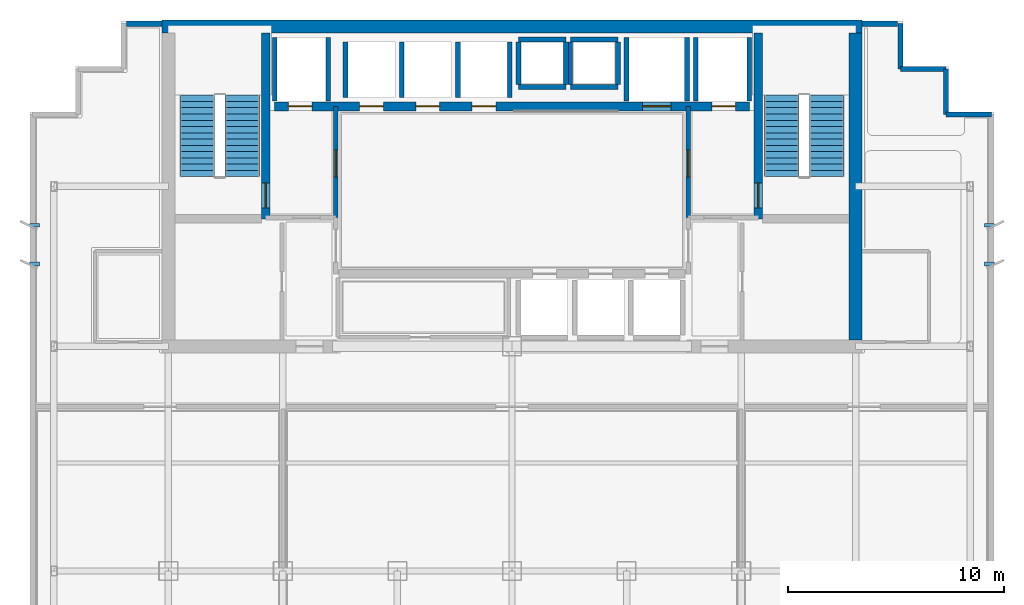
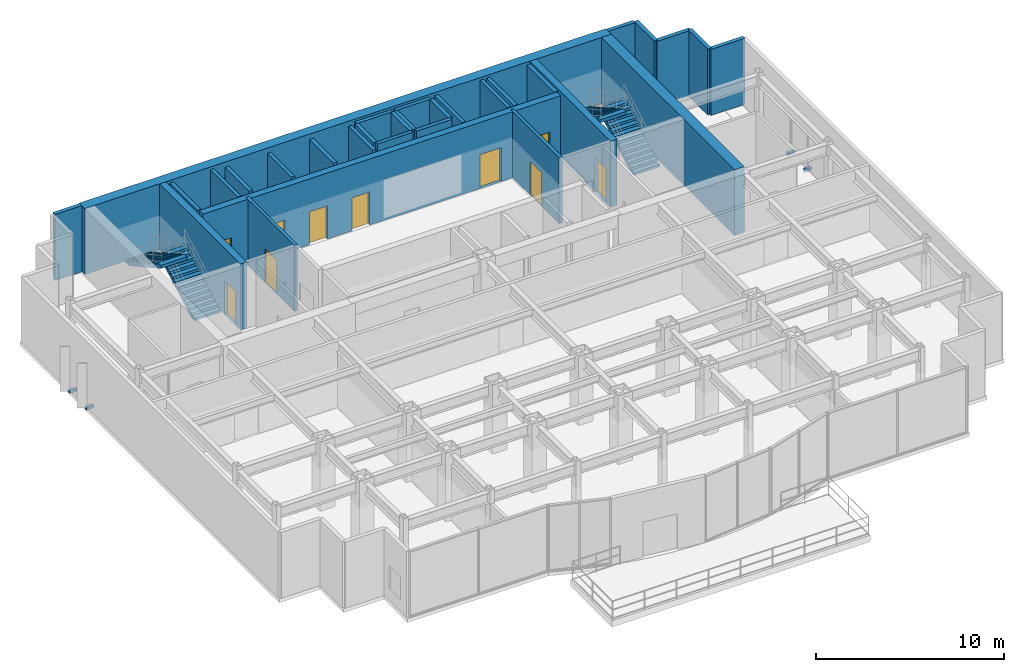
# One storey, part 7 of 9: 31 walls, 10 doors, 4 discrete accessories, 4 stair flights, 10 openings, 2 elements without a shape of their own.
"""IFC4 building model written with IfcOpenShell, lengths in metres."""

from ifc_helpers import new_model, si_unit, direction, frame, frame_2d, origin, origin_2d, place, context, subcontext, project, spatial, polyline, rectangle, outline, extrude, source, transform, mapped, material, layer, layer_set, type_object, element, fill, aggregate, save


model = new_model("IFC4")

# Units and contexts
model_context = context("Model", 3, precision=1e-05, world=origin(), true_north=direction((0.0, 1.0)))
body_context = subcontext(model_context, "Body", "Model", "MODEL_VIEW")
ifc_project = project(units=[si_unit("LENGTHUNIT", "METRE"), si_unit("AREAUNIT", "SQUARE_METRE"), si_unit("VOLUMEUNIT", "CUBIC_METRE"), si_unit("PLANEANGLEUNIT", "RADIAN"), si_unit("MASSUNIT", "GRAM", prefix="KILO")], contexts=[model_context])

# Site, building, storey
site_placement = place(None, origin())
site = spatial("IfcSite", under=ifc_project, at=site_placement, CompositionType="ELEMENT")
building_placement = place(site_placement, origin())
building = spatial("IfcBuilding", under=site, at=building_placement, Name="Qianlan Lanfeng Residences", CompositionType="ELEMENT")
storey_placement = place(building_placement, frame((0.0, 0.0, 134.699951171875)))
storey = spatial("IfcBuildingStorey", under=building, at=storey_placement, Name="L36", CompositionType="ELEMENT", Elevation=134.699951171875)

# Wall, opening, door
ifc_material_1 = material(Name="Concrete C56", Category="concrete")
ifc_layer_1 = layer(ifc_material_1, 0.39990234375)
ifc_layer_set_1 = layer_set([ifc_layer_1], Name="Concrete C56")
wall_type_1 = type_object("IfcWallType", Name="CW-RC-400", PredefinedType="SHEAR", material=ifc_layer_set_1)
wall_1_placement = place(storey_placement, frame((15.10009765625, 31.10009765625, 0.0), z_axis=(0.0, 0.0, 1.0), x_axis=(0.0, 1.0, 0.0)))
wall_1 = element("IfcWall", 1, at=wall_1_placement, inside=storey, type_object=wall_type_1, Name="L36 Core Shear Wall ST1E", PredefinedType="SHEAR", context=body_context, shape_type="SweptSolid", body=[
    extrude(rectangle(XDim=8.599853515625, YDim=0.39990234375, at=frame_2d((4.2998046875, 0.0))), origin(), (0.0, 0.0, 1.0), 4.300048828125),
])
opening_1_placement = place(wall_1_placement, frame((0.510009765625, 0.0, 0.0)))
opening_1 = element("IfcOpeningElement", 2, at=opening_1_placement, cuts=wall_1, Name="Opening L36-D07", PredefinedType="OPENING", context=body_context, shape_type="SweptSolid", body=[
    extrude(rectangle(XDim=1.14990234375, YDim=2.199951171875, at=frame_2d((0.574951171875, 1.10009765625))), frame((0.0, 0.2099609375, 0.0), z_axis=(0.0, -1.0, 0.0), x_axis=(1.0, 0.0, 0.0)), (0.0, 0.0, 1.0), 0.419921875),
])
ifc_material_2 = material(Name="Painted Galvanised Steel Fire Door", Category="steel")
door_type_1 = type_object("IfcDoorType", Name="DT-ST1", OperationType="NOTDEFINED", PredefinedType="DOOR", material=ifc_material_2)
door_1_placement = place(opening_1_placement, frame((1.14990234375, 0.0, 0.0), z_axis=(0.0, 0.0, 1.0), x_axis=(-1.0, 0.0, 0.0)))
door_1 = element("IfcDoor", 3, at=door_1_placement, inside=storey, type_object=door_type_1, Name="L36 Exit Stair ST-1 Door L36-D07 (DT-ST1)", OperationType="SINGLE_SWING_RIGHT", OverallHeight=2.199951171875, OverallWidth=1.14990234375, PredefinedType="DOOR", context=body_context, shape_type="SweptSolid", body=[
    extrude(rectangle(XDim=1.14990234375, YDim=2.199951171875, at=frame_2d((0.574951171875, 1.10009765625))), frame((0.0, 0.02490234375, 0.0), z_axis=(0.0, -1.0, 0.0), x_axis=(1.0, 0.0, 0.0)), (0.0, 0.0, 1.0), 0.050048828125),
])
fill(opening_1, door_1)

wall_2_placement = place(storey_placement, frame((37.89990234375, 31.10009765625, 0.0), z_axis=(0.0, 0.0, 1.0), x_axis=(0.0, 1.0, 0.0)))
wall_2 = element("IfcWall", 4, at=wall_2_placement, inside=storey, type_object=wall_type_1, Name="L36 Core Shear Wall ST2W", PredefinedType="SHEAR", context=body_context, shape_type="SweptSolid", body=[
    extrude(rectangle(XDim=8.599853515625, YDim=0.39990234375, at=frame_2d((4.2998046875, 0.0))), origin(), (0.0, 0.0, 1.0), 4.300048828125),
])
opening_2_placement = place(wall_2_placement, frame((0.510009765625, 0.0, 0.0)))
opening_2 = element("IfcOpeningElement", 5, at=opening_2_placement, cuts=wall_2, Name="Opening L36-D08", PredefinedType="OPENING", context=body_context, shape_type="SweptSolid", body=[
    extrude(rectangle(XDim=1.14990234375, YDim=2.199951171875, at=frame_2d((0.574951171875, 1.10009765625))), frame((0.0, 0.2099609375, 0.0), z_axis=(0.0, -1.0, 0.0), x_axis=(1.0, 0.0, 0.0)), (0.0, 0.0, 1.0), 0.419921875),
])
door_2_placement = place(opening_2_placement, origin())
door_2 = element("IfcDoor", 6, at=door_2_placement, inside=storey, type_object=door_type_1, Name="L36 Exit Stair ST-2 Door L36-D08 (DT-ST1)", OperationType="SINGLE_SWING_RIGHT", OverallHeight=2.199951171875, OverallWidth=1.14990234375, PredefinedType="DOOR", context=body_context, shape_type="SweptSolid", body=[
    extrude(rectangle(XDim=1.14990234375, YDim=2.199951171875, at=frame_2d((0.574951171875, 1.10009765625))), frame((0.0, 0.02490234375, 0.0), z_axis=(0.0, -1.0, 0.0), x_axis=(1.0, 0.0, 0.0)), (0.0, 0.0, 1.0), 0.050048828125),
])
fill(opening_2, door_2)

# Wall, openings, doors
wall_3_placement = place(storey_placement, frame((15.5, 36.300048828125, 0.0), z_axis=(0.0, 0.0, 1.0), x_axis=(1.0, 0.0, 0.0)))
wall_3 = element("IfcWall", 7, at=wall_3_placement, inside=storey, type_object=wall_type_1, Name="L36 Core Shear Wall LBN", PredefinedType="SHEAR", context=body_context, shape_type="SweptSolid", body=[
    extrude(rectangle(XDim=22.0, YDim=0.39990234375, at=frame_2d((11.0, 0.0))), origin(), (0.0, 0.0, 1.0), 4.300048828125),
])
opening_3_placement = place(wall_3_placement, frame((0.64990234375, 0.0, 0.0)))
opening_3 = element("IfcOpeningElement", 8, at=opening_3_placement, cuts=wall_3, Name="Opening L36-LD-FFL-1", PredefinedType="OPENING", context=body_context, shape_type="SweptSolid", body=[
    extrude(rectangle(XDim=1.10009765625, YDim=2.14990234375, at=frame_2d((0.550048828125, 1.074951171875))), frame((0.0, 0.2099609375, 0.0), z_axis=(0.0, -1.0, 0.0), x_axis=(1.0, 0.0, 0.0)), (0.0, 0.0, 1.0), 0.419921875),
])
opening_4_placement = place(wall_3_placement, frame((20.25, 0.0, 0.0)))
opening_4 = element("IfcOpeningElement", 9, at=opening_4_placement, cuts=wall_3, Name="Opening L36-LD-FFL-2", PredefinedType="OPENING", context=body_context, shape_type="SweptSolid", body=[
    extrude(rectangle(XDim=1.10009765625, YDim=2.14990234375, at=frame_2d((0.550048828125, 1.074951171875))), frame((0.0, 0.2099609375, 0.0), z_axis=(0.0, -1.0, 0.0), x_axis=(1.0, 0.0, 0.0)), (0.0, 0.0, 1.0), 0.419921875),
])
opening_5_placement = place(wall_3_placement, frame((17.050048828125, 0.0, 0.0)))
opening_5 = element("IfcOpeningElement", 10, at=opening_5_placement, cuts=wall_3, Name="Opening L36-LD-SVL-1", PredefinedType="OPENING", context=body_context, shape_type="SweptSolid", body=[
    extrude(rectangle(XDim=1.300048828125, YDim=2.199951171875, at=frame_2d((0.64990234375, 1.10009765625))), frame((0.0, 0.2099609375, 0.0), z_axis=(0.0, -1.0, 0.0), x_axis=(1.0, 0.0, 0.0)), (0.0, 0.0, 1.0), 0.419921875),
])
opening_6_placement = place(wall_3_placement, frame((3.949951171875, 0.0, 0.0)))
opening_6 = element("IfcOpeningElement", 11, at=opening_6_placement, cuts=wall_3, Name="Opening L36-LD-PL-H1", PredefinedType="OPENING", context=body_context, shape_type="SweptSolid", body=[
    extrude(rectangle(XDim=1.10009765625, YDim=2.14990234375, at=frame_2d((0.550048828125, 1.074951171875))), frame((0.0, 0.2099609375, 0.0), z_axis=(0.0, -1.0, 0.0), x_axis=(1.0, 0.0, 0.0)), (0.0, 0.0, 1.0), 0.419921875),
])
opening_7_placement = place(wall_3_placement, frame((6.550048828125, 0.0, 0.0)))
opening_7 = element("IfcOpeningElement", 12, at=opening_7_placement, cuts=wall_3, Name="Opening L36-LD-PL-H2", PredefinedType="OPENING", context=body_context, shape_type="SweptSolid", body=[
    extrude(rectangle(XDim=1.10009765625, YDim=2.14990234375, at=frame_2d((0.550048828125, 1.074951171875))), frame((0.0, 0.2099609375, 0.0), z_axis=(0.0, -1.0, 0.0), x_axis=(1.0, 0.0, 0.0)), (0.0, 0.0, 1.0), 0.419921875),
])
opening_8_placement = place(wall_3_placement, frame((9.14990234375, 0.0, 0.0)))
opening_8 = element("IfcOpeningElement", 13, at=opening_8_placement, cuts=wall_3, Name="Opening L36-LD-PL-H3", PredefinedType="OPENING", context=body_context, shape_type="SweptSolid", body=[
    extrude(rectangle(XDim=1.10009765625, YDim=2.14990234375, at=frame_2d((0.550048828125, 1.074951171875))), frame((0.0, 0.2099609375, 0.0), z_axis=(0.0, -1.0, 0.0), x_axis=(1.0, 0.0, 0.0)), (0.0, 0.0, 1.0), 0.419921875),
])
ifc_material_3 = material(Name="Brushed Stainless Steel Sliding Lift Door", Category="steel")
door_type_2 = type_object("IfcDoorType", Name="LD-01", OperationType="NOTDEFINED", PredefinedType="DOOR", material=ifc_material_3)
door_3_placement = place(opening_3_placement, frame((1.10009765625, 0.0, 0.0), z_axis=(0.0, 0.0, 1.0), x_axis=(-1.0, 0.0, 0.0)))
door_3 = element("IfcDoor", 14, at=door_3_placement, inside=storey, type_object=door_type_2, Name="L36 Elevator FFL-1 Sliding Landing Door", OperationType="DOUBLE_DOOR_SLIDING", OverallHeight=2.14990234375, OverallWidth=1.10009765625, PredefinedType="DOOR", context=body_context, shape_type="SweptSolid", body=[
    extrude(rectangle(XDim=1.10009765625, YDim=2.14990234375, at=frame_2d((0.550048828125, 1.074951171875))), frame((0.0, 0.02490234375, 0.0), z_axis=(0.0, -1.0, 0.0), x_axis=(1.0, 0.0, 0.0)), (0.0, 0.0, 1.0), 0.050048828125),
])
fill(opening_3, door_3)
door_4_placement = place(opening_4_placement, frame((1.10009765625, 0.0, 0.0), z_axis=(0.0, 0.0, 1.0), x_axis=(-1.0, 0.0, 0.0)))
door_4 = element("IfcDoor", 15, at=door_4_placement, inside=storey, type_object=door_type_2, Name="L36 Elevator FFL-2 Sliding Landing Door", OperationType="DOUBLE_DOOR_SLIDING", OverallHeight=2.14990234375, OverallWidth=1.10009765625, PredefinedType="DOOR", context=body_context, shape_type="SweptSolid", body=[
    extrude(rectangle(XDim=1.10009765625, YDim=2.14990234375, at=frame_2d((0.550048828125, 1.074951171875))), frame((0.0, 0.02490234375, 0.0), z_axis=(0.0, -1.0, 0.0), x_axis=(1.0, 0.0, 0.0)), (0.0, 0.0, 1.0), 0.050048828125),
])
fill(opening_4, door_4)
door_5_placement = place(opening_6_placement, frame((1.10009765625, 0.0, 0.0), z_axis=(0.0, 0.0, 1.0), x_axis=(-1.0, 0.0, 0.0)))
door_5 = element("IfcDoor", 16, at=door_5_placement, inside=storey, type_object=door_type_2, Name="L36 Elevator PL-H1 Sliding Landing Door", OperationType="DOUBLE_DOOR_SLIDING", OverallHeight=2.14990234375, OverallWidth=1.10009765625, PredefinedType="DOOR", context=body_context, shape_type="SweptSolid", body=[
    extrude(rectangle(XDim=1.10009765625, YDim=2.14990234375, at=frame_2d((0.550048828125, 1.074951171875))), frame((0.0, 0.02490234375, 0.0), z_axis=(0.0, -1.0, 0.0), x_axis=(1.0, 0.0, 0.0)), (0.0, 0.0, 1.0), 0.050048828125),
])
fill(opening_6, door_5)
door_6_placement = place(opening_7_placement, frame((1.10009765625, 0.0, 0.0), z_axis=(0.0, 0.0, 1.0), x_axis=(-1.0, 0.0, 0.0)))
door_6 = element("IfcDoor", 17, at=door_6_placement, inside=storey, type_object=door_type_2, Name="L36 Elevator PL-H2 Sliding Landing Door", OperationType="DOUBLE_DOOR_SLIDING", OverallHeight=2.14990234375, OverallWidth=1.10009765625, PredefinedType="DOOR", context=body_context, shape_type="SweptSolid", body=[
    extrude(rectangle(XDim=1.10009765625, YDim=2.14990234375, at=frame_2d((0.550048828125, 1.074951171875))), frame((0.0, 0.02490234375, 0.0), z_axis=(0.0, -1.0, 0.0), x_axis=(1.0, 0.0, 0.0)), (0.0, 0.0, 1.0), 0.050048828125),
])
fill(opening_7, door_6)
door_7_placement = place(opening_8_placement, frame((1.10009765625, 0.0, 0.0), z_axis=(0.0, 0.0, 1.0), x_axis=(-1.0, 0.0, 0.0)))
door_7 = element("IfcDoor", 18, at=door_7_placement, inside=storey, type_object=door_type_2, Name="L36 Elevator PL-H3 Sliding Landing Door", OperationType="DOUBLE_DOOR_SLIDING", OverallHeight=2.14990234375, OverallWidth=1.10009765625, PredefinedType="DOOR", context=body_context, shape_type="SweptSolid", body=[
    extrude(rectangle(XDim=1.10009765625, YDim=2.14990234375, at=frame_2d((0.550048828125, 1.074951171875))), frame((0.0, 0.02490234375, 0.0), z_axis=(0.0, -1.0, 0.0), x_axis=(1.0, 0.0, 0.0)), (0.0, 0.0, 1.0), 0.050048828125),
])
fill(opening_8, door_7)
door_type_3 = type_object("IfcDoorType", Name="LD-02", OperationType="NOTDEFINED", PredefinedType="DOOR", material=ifc_material_3)
door_8_placement = place(opening_5_placement, frame((1.300048828125, 0.0, 0.0), z_axis=(0.0, 0.0, 1.0), x_axis=(-1.0, 0.0, 0.0)))
door_8 = element("IfcDoor", 19, at=door_8_placement, inside=storey, type_object=door_type_3, Name="L36 Elevator SVL-1 Sliding Landing Door", OperationType="DOUBLE_DOOR_SLIDING", OverallHeight=2.199951171875, OverallWidth=1.300048828125, PredefinedType="DOOR", context=body_context, shape_type="SweptSolid", body=[
    extrude(rectangle(XDim=1.300048828125, YDim=2.199951171875, at=frame_2d((0.64990234375, 1.10009765625))), frame((0.0, 0.02490234375, 0.0), z_axis=(0.0, -1.0, 0.0), x_axis=(1.0, 0.0, 0.0)), (0.0, 0.0, 1.0), 0.050048828125),
])
fill(opening_5, door_8)

# Walls
ifc_layer_2 = layer(ifc_material_1, 0.60009765625)
ifc_layer_set_2 = layer_set([ifc_layer_2], Name="Concrete C56")
wall_type_2 = type_object("IfcWallType", Name="CW-RC-600", PredefinedType="SHEAR", material=ifc_layer_set_2)
wall_4_placement = place(storey_placement, frame((10.300048828125, 40.0, 0.0), z_axis=(0.0, 0.0, 1.0), x_axis=(1.0, 0.0, 0.0)))
element("IfcWall", 20, at=wall_4_placement, inside=storey, type_object=wall_type_2, Name="L36 Core Shear Wall N", PredefinedType="SHEAR", context=body_context, shape_type="SweptSolid", body=[
    extrude(rectangle(XDim=32.39990234375, YDim=0.60009765625, at=frame_2d((16.199951171875, 0.0))), origin(), (0.0, 0.0, 1.0), 4.300048828125),
])
wall_5_placement = place(storey_placement, frame((42.39990234375, 25.5, 0.0), z_axis=(0.0, 0.0, 1.0), x_axis=(0.0, 1.0, 0.0)))
element("IfcWall", 21, at=wall_5_placement, inside=storey, type_object=wall_type_2, Name="L36 Core Shear Wall E", PredefinedType="SHEAR", context=body_context, shape_type="SweptSolid", body=[
    extrude(rectangle(XDim=14.199951171875, YDim=0.60009765625, at=frame_2d((7.10009765625, 0.0))), origin(), (0.0, 0.0, 1.0), 4.300048828125),
])
ifc_material_4 = material(Name="Concrete C42", Category="concrete")
ifc_layer_3 = layer(ifc_material_4, 0.239990234375)
ifc_layer_set_3 = layer_set([ifc_layer_3], Name="Concrete C42")
wall_type_3 = type_object("IfcWallType", Name="EW-240", PredefinedType="SOLIDWALL", material=ifc_layer_set_3)
wall_6_placement = place(storey_placement, frame((48.679931640625, 35.929931640625, 0.0), z_axis=(0.0, 0.0, 1.0), x_axis=(-1.0, 0.0, 0.0)))
element("IfcWall", 22, at=wall_6_placement, inside=storey, type_object=wall_type_3, Name="L36 Exterior Facade Spandrel Wall 11", PredefinedType="SOLIDWALL", context=body_context, shape_type="SweptSolid", body=[
    extrude(rectangle(XDim=2.099853515625, YDim=0.239990234375, at=frame_2d((1.0498046875, 0.0))), origin(), (0.0, 0.0, 1.0), 4.300048828125),
])
for number, where, z_axis, x_axis, name in (
    (23, (46.580078125, 35.929931640625, 0.0), (0.0, 0.0, 1.0), (0.0, 1.0, 0.0), "L36 Exterior Facade Spandrel Wall 12"),
    (24, (46.580078125, 38.030029296875, 0.0), (0.0, 0.0, 1.0), (-1.0, 0.0, 0.0), "L36 Exterior Facade Spandrel Wall 13"),
):
    element("IfcWall", number, at=place(storey_placement, frame(where, z_axis=z_axis, x_axis=x_axis)), inside=storey, type_object=wall_type_3, Name=name, PredefinedType="SOLIDWALL", context=body_context, shape_type="SweptSolid", body=[
        extrude(rectangle(XDim=2.10009765625, YDim=0.239990234375, at=frame_2d((1.050048828125, 0.0))), origin(), (0.0, 0.0, 1.0), 4.300048828125),
    ])
wall_7_placement = place(storey_placement, frame((44.47998046875, 38.030029296875, 0.0), z_axis=(0.0, 0.0, 1.0), x_axis=(0.0, 1.0, 0.0)))
element("IfcWall", 25, at=wall_7_placement, inside=storey, type_object=wall_type_3, Name="L36 Exterior Facade Spandrel Wall 14", PredefinedType="SOLIDWALL", context=body_context, shape_type="SweptSolid", body=[
    extrude(rectangle(XDim=2.099853515625, YDim=0.239990234375, at=frame_2d((1.0498046875, 0.0))), origin(), (0.0, 0.0, 1.0), 4.300048828125),
])
for number, where, z_axis, x_axis, name in (
    (26, (44.35009765625, 40.1298828125, 0.0), (0.0, 0.0, 1.0), (-1.0, 0.0, 0.0), "L36 North Wing Exterior Wall E"),
    (27, (10.300048828125, 40.1298828125, 0.0), (0.0, 0.0, 1.0), (-1.0, 0.0, 0.0), "L36 North Wing Exterior Wall W"),
):
    element("IfcWall", number, at=place(storey_placement, frame(where, z_axis=z_axis, x_axis=x_axis)), inside=storey, type_object=wall_type_3, Name=name, PredefinedType="SOLIDWALL", context=body_context, shape_type="SweptSolid", body=[
        extrude(rectangle(XDim=1.650146484375, YDim=0.239990234375, at=frame_2d((0.8251953125, 0.0))), origin(), (0.0, 0.0, 1.0), 4.300048828125),
    ])

# Wall, opening, door
ifc_material_5 = material(Name="Autoclaved Aerated Concrete Blockwork 200 mm", Category="masonry")
ifc_layer_4 = layer(ifc_material_5, 0.199951171875)
ifc_layer_set_4 = layer_set([ifc_layer_4], Name="Autoclaved Aerated Concrete Blockwork 200 mm")
wall_type_4 = type_object("IfcWallType", Name="PW-200", PredefinedType="PARTITIONING", material=ifc_layer_set_4)
wall_8_placement = place(storey_placement, frame((18.35009765625, 31.14990234375, 0.0), z_axis=(0.0, 0.0, 1.0), x_axis=(0.0, 1.0, 0.0)))
wall_8 = element("IfcWall", 28, at=wall_8_placement, inside=storey, type_object=wall_type_4, Name="L36 Firefighting Lobby 1 East Wall", PredefinedType="PARTITIONING", context=body_context, shape_type="SweptSolid", body=[
    extrude(rectangle(XDim=5.150146484375, YDim=0.199951171875, at=frame_2d((2.5751953125, 0.0))), origin(), (0.0, 0.0, 1.0), 4.300048828125),
])
opening_9_placement = place(wall_8_placement, frame((1.875, 0.0, 0.0)))
opening_9 = element("IfcOpeningElement", 29, at=opening_9_placement, cuts=wall_8, Name="Opening L36-D04", PredefinedType="OPENING", context=body_context, shape_type="SweptSolid", body=[
    extrude(rectangle(XDim=1.25, YDim=2.199951171875, at=frame_2d((0.625, 1.10009765625))), frame((0.0, 0.10986328125, 0.0), z_axis=(0.0, -1.0, 0.0), x_axis=(1.0, 0.0, 0.0)), (0.0, 0.0, 1.0), 0.219970703125),
])
door_type_4 = type_object("IfcDoorType", Name="DT-FFL", OperationType="NOTDEFINED", PredefinedType="DOOR", material=ifc_material_2)
door_9_placement = place(opening_9_placement, origin())
door_9 = element("IfcDoor", 30, at=door_9_placement, inside=storey, type_object=door_type_4, Name="L36 Firefighting Lobby 1 Lift Lobby Door L36-D04 (DT-FFL)", OperationType="SINGLE_SWING_LEFT", OverallHeight=2.199951171875, OverallWidth=1.25, PredefinedType="DOOR", context=body_context, shape_type="SweptSolid", body=[
    extrude(rectangle(XDim=1.25, YDim=2.199951171875, at=frame_2d((0.625, 1.10009765625))), frame((0.0, 0.02490234375, 0.0), z_axis=(0.0, -1.0, 0.0), x_axis=(1.0, 0.0, 0.0)), (0.0, 0.0, 1.0), 0.050048828125),
])
fill(opening_9, door_9)

wall_9_placement = place(storey_placement, frame((34.64990234375, 31.14990234375, 0.0), z_axis=(0.0, 0.0, 1.0), x_axis=(0.0, 1.0, 0.0)))
wall_9 = element("IfcWall", 31, at=wall_9_placement, inside=storey, type_object=wall_type_4, Name="L36 Firefighting Lobby 2 West Wall", PredefinedType="PARTITIONING", context=body_context, shape_type="SweptSolid", body=[
    extrude(rectangle(XDim=5.150146484375, YDim=0.199951171875, at=frame_2d((2.5751953125, 0.0))), origin(), (0.0, 0.0, 1.0), 4.300048828125),
])
opening_10_placement = place(wall_9_placement, frame((1.875, 0.0, 0.0)))
opening_10 = element("IfcOpeningElement", 32, at=opening_10_placement, cuts=wall_9, Name="Opening L36-D06", PredefinedType="OPENING", context=body_context, shape_type="SweptSolid", body=[
    extrude(rectangle(XDim=1.25, YDim=2.199951171875, at=frame_2d((0.625, 1.10009765625))), frame((0.0, 0.10986328125, 0.0), z_axis=(0.0, -1.0, 0.0), x_axis=(1.0, 0.0, 0.0)), (0.0, 0.0, 1.0), 0.219970703125),
])
door_10_placement = place(opening_10_placement, origin())
door_10 = element("IfcDoor", 33, at=door_10_placement, inside=storey, type_object=door_type_4, Name="L36 Firefighting Lobby 2 Lift Lobby Door L36-D06 (DT-FFL)", OperationType="SINGLE_SWING_LEFT", OverallHeight=2.199951171875, OverallWidth=1.25, PredefinedType="DOOR", context=body_context, shape_type="SweptSolid", body=[
    extrude(rectangle(XDim=1.25, YDim=2.199951171875, at=frame_2d((0.625, 1.10009765625))), frame((0.0, 0.02490234375, 0.0), z_axis=(0.0, -1.0, 0.0), x_axis=(1.0, 0.0, 0.0)), (0.0, 0.0, 1.0), 0.050048828125),
])
fill(opening_10, door_10)

# Walls
ifc_material_6 = material(Name="Concrete C49", Category="concrete")
ifc_layer_5 = layer(ifc_material_6, 0.219970703125)
ifc_layer_set_5 = layer_set([ifc_layer_5], Name="Concrete C49")
wall_type_5 = type_object("IfcWallType", Name="SHW-220", PredefinedType="SOLIDWALL", material=ifc_layer_set_5)
for number, where, z_axis, x_axis, name in (
    (34, (15.52001953125, 36.550048828125, 0.0), (0.0, 0.0, 1.0), (0.0, 1.0, 0.0), "L36 Lift FFL-1 Shaft Wall W"),
    (35, (18.0, 36.550048828125, 0.0), (0.0, 0.0, 1.0), (0.0, 1.0, 0.0), "L36 Lift FFL-1 Shaft Wall E"),
    (36, (35.0, 36.550048828125, 0.0), (0.0, 0.0, 1.0), (0.0, 1.0, 0.0), "L36 Lift FFL-2 Shaft Wall W"),
    (37, (37.47998046875, 36.550048828125, 0.0), (0.0, 0.0, 1.0), (0.0, 1.0, 0.0), "L36 Lift FFL-2 Shaft Wall E"),
    (38, (31.800048828125, 36.550048828125, 0.0), (0.0, 0.0, 1.0), (0.0, 1.0, 0.0), "L36 Lift SVL-1 Shaft Wall W"),
    (39, (34.60009765625, 36.550048828125, 0.0), (0.0, 0.0, 1.0), (0.0, 1.0, 0.0), "L36 Lift SVL-1 Shaft Wall E"),
):
    element("IfcWall", number, at=place(storey_placement, frame(where, z_axis=z_axis, x_axis=x_axis)), inside=storey, type_object=wall_type_5, Name=name, PredefinedType="SOLIDWALL", context=body_context, shape_type="SweptSolid", body=[
        extrude(rectangle(XDim=2.929931640625, YDim=0.219970703125, at=frame_2d((1.46484375, 0.0))), origin(), (0.0, 0.0, 1.0), 4.300048828125),
    ])
for number, where, z_axis, x_axis, name in (
    (40, (18.800048828125, 36.719970703125, 0.0), (0.0, 0.0, 1.0), (0.0, 1.0, 0.0), "L36 Lift PL-H1 Shaft Wall W"),
    (41, (21.39990234375, 36.719970703125, 0.0), (0.0, 0.0, 1.0), (0.0, 1.0, 0.0), "L36 Lift PL-H2 Shaft Wall W"),
    (42, (24.0, 36.719970703125, 0.0), (0.0, 0.0, 1.0), (0.0, 1.0, 0.0), "L36 Lift PL-H3 Shaft Wall W"),
    (43, (26.39990234375, 36.719970703125, 0.0), (0.0, 0.0, 1.0), (0.0, 1.0, 0.0), "L36 Lift PL-H3 Shaft Wall E"),
):
    element("IfcWall", number, at=place(storey_placement, frame(where, z_axis=z_axis, x_axis=x_axis)), inside=storey, type_object=wall_type_5, Name=name, PredefinedType="SOLIDWALL", context=body_context, shape_type="SweptSolid", body=[
        extrude(rectangle(XDim=2.56005859375, YDim=0.219970703125, at=frame_2d((1.280029296875, 0.0))), origin(), (0.0, 0.0, 1.0), 4.300048828125),
    ])
for number, where, z_axis, x_axis, name in (
    (44, (26.800048828125, 37.31005859375, 0.0), (0.0, 0.0, 1.0), (0.0, 1.0, 0.0), "L36 MEP Riser MEP-R1 Shaft Wall W"),
    (45, (29.0, 37.31005859375, 0.0), (0.0, 0.0, 1.0), (0.0, 1.0, 0.0), "L36 MEP Riser MEP-R1 Shaft Wall E"),
):
    element("IfcWall", number, at=place(storey_placement, frame(where, z_axis=z_axis, x_axis=x_axis)), inside=storey, type_object=wall_type_5, Name=name, PredefinedType="SOLIDWALL", context=body_context, shape_type="SweptSolid", body=[
        extrude(rectangle(XDim=1.97998046875, YDim=0.219970703125, at=frame_2d((0.989990234375, 0.0))), origin(), (0.0, 0.0, 1.0), 4.300048828125),
    ])
for number, where, z_axis, x_axis, name in (
    (46, (26.800048828125, 39.39990234375, 0.0), (0.0, 0.0, 1.0), (1.0, 0.0, 0.0), "L36 MEP Riser MEP-R1 Shaft Wall N"),
    (47, (26.800048828125, 37.199951171875, 0.0), (0.0, 0.0, 1.0), (1.0, 0.0, 0.0), "L36 MEP Riser MEP-R1 Shaft Wall S"),
):
    element("IfcWall", number, at=place(storey_placement, frame(where, z_axis=z_axis, x_axis=x_axis)), inside=storey, type_object=wall_type_5, Name=name, PredefinedType="SOLIDWALL", context=body_context, shape_type="SweptSolid", body=[
        extrude(rectangle(XDim=2.199951171875, YDim=0.219970703125, at=frame_2d((1.10009765625, 0.0))), origin(), (0.0, 0.0, 1.0), 4.300048828125),
    ])
for number, where, z_axis, x_axis, name in (
    (48, (29.199951171875, 37.31005859375, 0.0), (0.0, 0.0, 1.0), (0.0, 1.0, 0.0), "L36 MEP Riser MEP-R2 Shaft Wall W"),
    (49, (31.39990234375, 37.31005859375, 0.0), (0.0, 0.0, 1.0), (0.0, 1.0, 0.0), "L36 MEP Riser MEP-R2 Shaft Wall E"),
):
    element("IfcWall", number, at=place(storey_placement, frame(where, z_axis=z_axis, x_axis=x_axis)), inside=storey, type_object=wall_type_5, Name=name, PredefinedType="SOLIDWALL", context=body_context, shape_type="SweptSolid", body=[
        extrude(rectangle(XDim=1.97998046875, YDim=0.219970703125, at=frame_2d((0.989990234375, 0.0))), origin(), (0.0, 0.0, 1.0), 4.300048828125),
    ])
for number, where, z_axis, x_axis, name in (
    (50, (29.199951171875, 39.39990234375, 0.0), (0.0, 0.0, 1.0), (1.0, 0.0, 0.0), "L36 MEP Riser MEP-R2 Shaft Wall N"),
    (51, (29.199951171875, 37.199951171875, 0.0), (0.0, 0.0, 1.0), (1.0, 0.0, 0.0), "L36 MEP Riser MEP-R2 Shaft Wall S"),
):
    element("IfcWall", number, at=place(storey_placement, frame(where, z_axis=z_axis, x_axis=x_axis)), inside=storey, type_object=wall_type_5, Name=name, PredefinedType="SOLIDWALL", context=body_context, shape_type="SweptSolid", body=[
        extrude(rectangle(XDim=2.199951171875, YDim=0.219970703125, at=frame_2d((1.10009765625, 0.0))), origin(), (0.0, 0.0, 1.0), 4.300048828125),
    ])

# Stair, stair flights
stair_type = type_object("IfcStairType", Name="STR-MAIN", PredefinedType="HALF_TURN_STAIR", material=ifc_material_4)
stair_1_placement = place(storey_placement, origin())
stair_1 = element("IfcStair", 52, at=stair_1_placement, inside=storey, type_object=stair_type, Name="L36 Exit Stair ST-1", PredefinedType="HALF_TURN_STAIR")
stair_flight_type = type_object("IfcStairFlightType", Name="FLT-1720", PredefinedType="STRAIGHT", material=ifc_material_4)
stair_flight_1_placement = place(storey_placement, frame((14.02001953125, 33.050048828125, 0.0), z_axis=(0.0, 0.0, 1.0), x_axis=(0.0, 1.0, 0.0)))
stair_flight_1 = element("IfcStairFlight", 53, at=stair_flight_1_placement, type_object=stair_flight_type, Name="ST-1 flight 1", NumberOfRisers=14, NumberOfTreads=13, PredefinedType="STRAIGHT", RiserHeight=0.160714286, TreadLength=0.29, context=body_context, shape_type="SweptSolid", body=[
    extrude(outline(polyline([(0.0, 0.0), (0.0, 0.16064453125), (0.2900390625, 0.16064453125), (0.2900390625, 0.321533203125), (0.580078125, 0.321533203125), (0.580078125, 0.482177734375), (0.8701171875, 0.482177734375), (0.8701171875, 0.642822265625), (1.159912109375, 0.642822265625), (1.159912109375, 0.803466796875), (1.449951171875, 0.803466796875), (1.449951171875, 0.96435546875), (1.739990234375, 0.96435546875), (1.739990234375, 1.125), (2.030029296875, 1.125), (2.030029296875, 1.28564453125), (2.320068359375, 1.28564453125), (2.320068359375, 1.446533203125), (2.610107421875, 1.446533203125), (2.610107421875, 1.607177734375), (2.89990234375, 1.607177734375), (2.89990234375, 1.767822265625), (3.18994140625, 1.767822265625), (3.18994140625, 1.928466796875), (3.47998046875, 1.928466796875), (3.47998046875, 2.08935546875), (3.77001953125, 2.08935546875), (3.77001953125, 2.25), (3.77001953125, 1.883544921875), (0.37109375, 0.0), (0.0, 0.0)])), frame((0.0, 0.800048828125, 0.0), z_axis=(0.0, -1.0, 0.0), x_axis=(1.0, 0.0, 0.0)), (0.0, 0.0, 1.0), 1.60009765625),
])
stair_flight_2_placement = place(storey_placement, frame((11.93994140625, 36.820068359375, 2.25), z_axis=(0.0, 0.0, 1.0), x_axis=(0.0, -1.0, 0.0)))
stair_flight_2 = element("IfcStairFlight", 54, at=stair_flight_2_placement, type_object=stair_flight_type, Name="ST-1 flight 2", NumberOfRisers=14, NumberOfTreads=13, PredefinedType="STRAIGHT", RiserHeight=0.160714286, TreadLength=0.29, context=body_context, shape_type="SweptSolid", body=[
    extrude(outline(polyline([(0.0, 0.0), (0.0, 0.16064453125), (0.2900390625, 0.16064453125), (0.2900390625, 0.321533203125), (0.580078125, 0.321533203125), (0.580078125, 0.482177734375), (0.8701171875, 0.482177734375), (0.8701171875, 0.642822265625), (1.159912109375, 0.642822265625), (1.159912109375, 0.803466796875), (1.449951171875, 0.803466796875), (1.449951171875, 0.96435546875), (1.739990234375, 0.96435546875), (1.739990234375, 1.125), (2.030029296875, 1.125), (2.030029296875, 1.28564453125), (2.320068359375, 1.28564453125), (2.320068359375, 1.446533203125), (2.610107421875, 1.446533203125), (2.610107421875, 1.607177734375), (2.89990234375, 1.607177734375), (2.89990234375, 1.767822265625), (3.18994140625, 1.767822265625), (3.18994140625, 1.928466796875), (3.47998046875, 1.928466796875), (3.47998046875, 2.08935546875), (3.77001953125, 2.08935546875), (3.77001953125, 2.25), (3.77001953125, 1.883544921875), (0.37109375, 0.0), (0.0, 0.0)])), frame((0.0, 0.800048828125, 0.0), z_axis=(0.0, -1.0, 0.0), x_axis=(1.0, 0.0, 0.0)), (0.0, 0.0, 1.0), 1.60009765625),
])
aggregate(stair_1, [stair_flight_1, stair_flight_2])

stair_2_placement = place(storey_placement, origin())
stair_2 = element("IfcStair", 55, at=stair_2_placement, inside=storey, type_object=stair_type, Name="L36 Exit Stair ST-2", PredefinedType="HALF_TURN_STAIR")
stair_flight_3_placement = place(storey_placement, frame((41.06005859375, 33.050048828125, 0.0), z_axis=(0.0, 0.0, 1.0), x_axis=(0.0, 1.0, 0.0)))
stair_flight_3 = element("IfcStairFlight", 56, at=stair_flight_3_placement, type_object=stair_flight_type, Name="ST-2 flight 1", NumberOfRisers=14, NumberOfTreads=13, PredefinedType="STRAIGHT", RiserHeight=0.160714286, TreadLength=0.29, context=body_context, shape_type="SweptSolid", body=[
    extrude(outline(polyline([(0.0, 0.0), (0.0, 0.16064453125), (0.2900390625, 0.16064453125), (0.2900390625, 0.321533203125), (0.580078125, 0.321533203125), (0.580078125, 0.482177734375), (0.8701171875, 0.482177734375), (0.8701171875, 0.642822265625), (1.159912109375, 0.642822265625), (1.159912109375, 0.803466796875), (1.449951171875, 0.803466796875), (1.449951171875, 0.96435546875), (1.739990234375, 0.96435546875), (1.739990234375, 1.125), (2.030029296875, 1.125), (2.030029296875, 1.28564453125), (2.320068359375, 1.28564453125), (2.320068359375, 1.446533203125), (2.610107421875, 1.446533203125), (2.610107421875, 1.607177734375), (2.89990234375, 1.607177734375), (2.89990234375, 1.767822265625), (3.18994140625, 1.767822265625), (3.18994140625, 1.928466796875), (3.47998046875, 1.928466796875), (3.47998046875, 2.08935546875), (3.77001953125, 2.08935546875), (3.77001953125, 2.25), (3.77001953125, 1.883544921875), (0.37109375, 0.0), (0.0, 0.0)])), frame((0.0, 0.800048828125, 0.0), z_axis=(0.0, -1.0, 0.0), x_axis=(1.0, 0.0, 0.0)), (0.0, 0.0, 1.0), 1.60009765625),
])
stair_flight_4_placement = place(storey_placement, frame((38.97998046875, 36.820068359375, 2.25), z_axis=(0.0, 0.0, 1.0), x_axis=(0.0, -1.0, 0.0)))
stair_flight_4 = element("IfcStairFlight", 57, at=stair_flight_4_placement, type_object=stair_flight_type, Name="ST-2 flight 2", NumberOfRisers=14, NumberOfTreads=13, PredefinedType="STRAIGHT", RiserHeight=0.160714286, TreadLength=0.29, context=body_context, shape_type="SweptSolid", body=[
    extrude(outline(polyline([(0.0, 0.0), (0.0, 0.16064453125), (0.2900390625, 0.16064453125), (0.2900390625, 0.321533203125), (0.580078125, 0.321533203125), (0.580078125, 0.482177734375), (0.8701171875, 0.482177734375), (0.8701171875, 0.642822265625), (1.159912109375, 0.642822265625), (1.159912109375, 0.803466796875), (1.449951171875, 0.803466796875), (1.449951171875, 0.96435546875), (1.739990234375, 0.96435546875), (1.739990234375, 1.125), (2.030029296875, 1.125), (2.030029296875, 1.28564453125), (2.320068359375, 1.28564453125), (2.320068359375, 1.446533203125), (2.610107421875, 1.446533203125), (2.610107421875, 1.607177734375), (2.89990234375, 1.607177734375), (2.89990234375, 1.767822265625), (3.18994140625, 1.767822265625), (3.18994140625, 1.928466796875), (3.47998046875, 1.928466796875), (3.47998046875, 2.08935546875), (3.77001953125, 2.08935546875), (3.77001953125, 2.25), (3.77001953125, 1.883544921875), (0.37109375, 0.0), (0.0, 0.0)])), frame((0.0, 0.800048828125, 0.0), z_axis=(0.0, -1.0, 0.0), x_axis=(1.0, 0.0, 0.0)), (0.0, 0.0, 1.0), 1.60009765625),
])
aggregate(stair_2, [stair_flight_3, stair_flight_4])

# Discrete accessories
ifc_material_7 = material(Name="Stainless Steel Facade Bracket", Category="steel")
discrete_accessory_type = type_object("IfcDiscreteAccessoryType", Name="BRK-SS-350", PredefinedType="BRACKET", material=ifc_material_7)
shared_shape = source(origin(), body_context, "Body", "SweptSolid", [
    extrude(rectangle(XDim=0.449951171875, YDim=0.179931640625, at=origin_2d()), origin(), (0.0, 0.0, 1.0), 0.179931640625),
])
for number, where, z_axis, x_axis, name in (
    (58, (4.39990234375, 29.0, -0.14990234375), (0.0, 0.0, 1.0), (1.0, 0.0, 0.0), "L36 Raked Solar Fin Support Bracket W1"),
    (59, (4.39990234375, 30.800048828125, -0.14990234375), (0.0, 0.0, 1.0), (1.0, 0.0, 0.0), "L36 Raked Solar Fin Support Bracket W2"),
    (60, (48.60009765625, 29.0, -0.14990234375), (0.0, 0.0, 1.0), (1.0, 0.0, 0.0), "L36 Raked Solar Fin Support Bracket E1"),
    (61, (48.60009765625, 30.800048828125, -0.14990234375), (0.0, 0.0, 1.0), (1.0, 0.0, 0.0), "L36 Raked Solar Fin Support Bracket E2"),
):
    element("IfcDiscreteAccessory", number, at=place(storey_placement, frame(where, z_axis=z_axis, x_axis=x_axis)), inside=storey, type_object=discrete_accessory_type, Name=name, PredefinedType="BRACKET", context=body_context, shape_type="MappedRepresentation", body=[
        mapped(shared_shape, transform((0.0, 0.0, 0.0), scale=1.0)),
    ])

save(model, "model.ifc")
